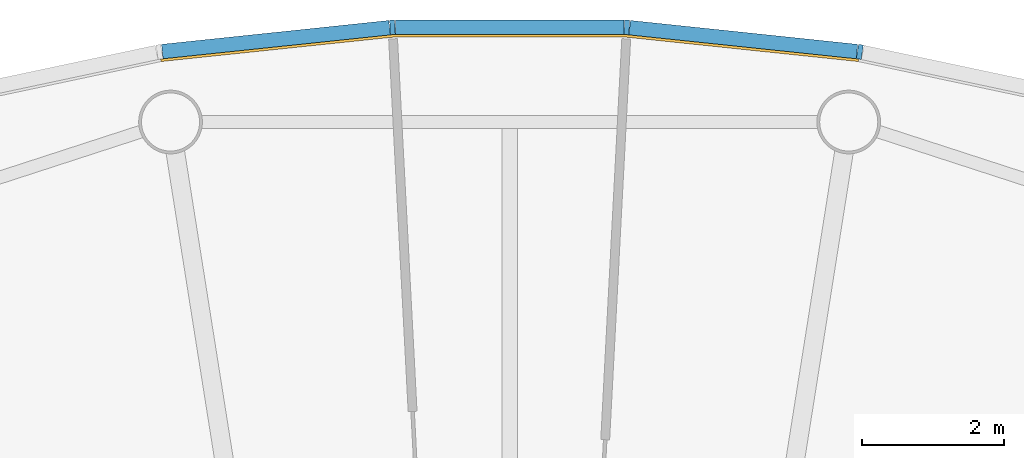
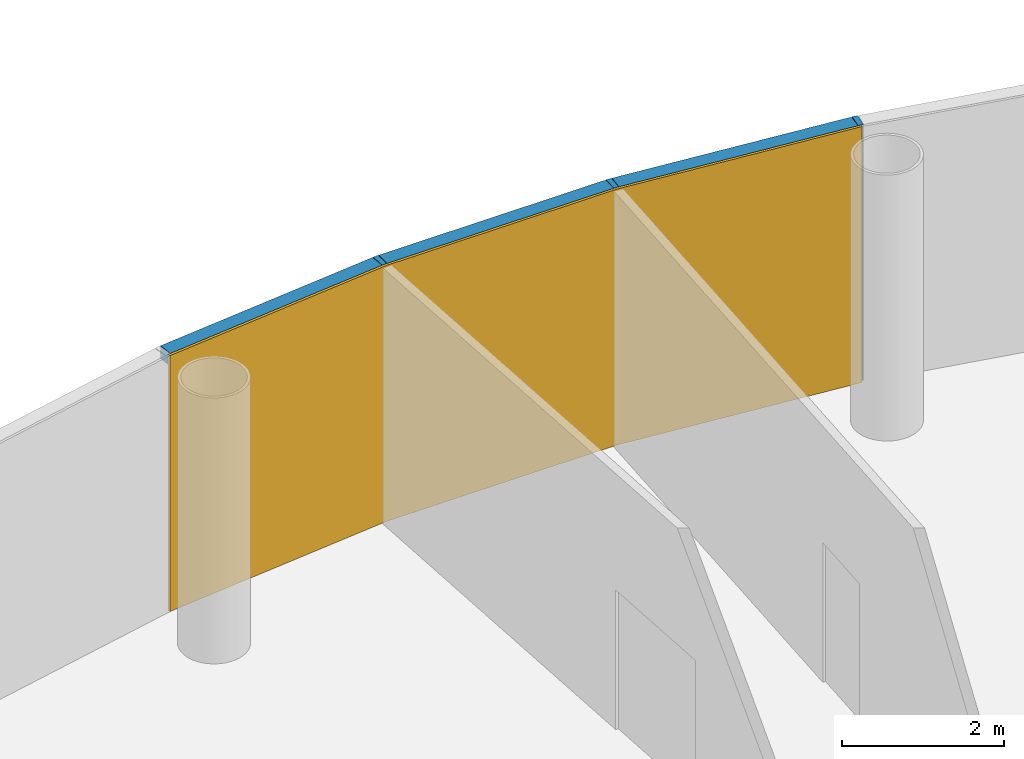
# One storey, part 11 of 13: 6 members, 1 curtain wall.
"""IFC4 building model written with IfcOpenShell, lengths in metres."""

from ifc_helpers import new_model, si_unit, direction, frame, origin, origin_2d, place, context, subcontext, project, spatial, polyline, rectangle, outline, extrude, material, layer, layer_set, material_profile, profile_set, type_object, element, aggregate, save


model = new_model("IFC4")

# Units and contexts
model_context = context("Model", 3, precision=1e-05, world=origin(), true_north=direction((0.0, 1.0)))
body_context = subcontext(model_context, "Body", "Model", "MODEL_VIEW")
ifc_project = project(units=[si_unit("LENGTHUNIT", "METRE"), si_unit("AREAUNIT", "SQUARE_METRE"), si_unit("VOLUMEUNIT", "CUBIC_METRE"), si_unit("PLANEANGLEUNIT", "RADIAN"), si_unit("MASSUNIT", "GRAM", prefix="KILO")], contexts=[model_context])

# Member
ifc_material_1 = material(Name="Anodised aluminium", Category="aluminium")
ifc_material_profile_1 = material_profile(ifc_material_1, rectangle(XDim=0.070068359375, YDim=0.205078125, at=origin_2d()), Name="Mullion 70 x 205 mm anodised aluminium")
ifc_profile_set_1 = profile_set([ifc_material_profile_1], Name="Anodised aluminium")
member_type_1 = type_object("IfcMemberType", Name="Mullion 70 x 205 mm anodised aluminium", PredefinedType="MULLION", material=ifc_profile_set_1)
site_placement = place(None, origin())
building_placement = place(site_placement, origin())
storey_placement = place(building_placement, frame((0.0, 0.0, 380.0)))
member_1_placement = place(storey_placement, frame((94.943603515625, 111.21337890625, 0.0), z_axis=(0.0, 0.0, 1.0), x_axis=(-0.987688340595, 0.15643446504, 0.0)))
member_1 = element("IfcMember", 1, at=member_1_placement, type_object=member_type_1, Name="MULLION L88-12", PredefinedType="MULLION", context=body_context, shape_type="SweptSolid", body=[
    extrude(rectangle(XDim=0.070068359375, YDim=0.205078125, at=origin_2d()), origin(), (0.0, 0.0, 1.0), 3.85009765625),
])

member_2_placement = place(storey_placement, frame((91.654052734375, 111.55908203125, 0.0), z_axis=(0.0, 0.0, 1.0), x_axis=(-0.998629534755, 0.052335956243, 0.0)))
member_2 = element("IfcMember", 2, at=member_2_placement, type_object=member_type_1, Name="MULLION L88-13", PredefinedType="MULLION", context=body_context, shape_type="SweptSolid", body=[
    extrude(rectangle(XDim=0.070068359375, YDim=0.205078125, at=origin_2d()), origin(), (0.0, 0.0, 1.0), 3.85009765625),
])

member_3_placement = place(storey_placement, frame((88.345947265625, 111.55908203125, 0.0), z_axis=(0.0, 0.0, 1.0), x_axis=(-0.998629534755, -0.052335956243, 0.0)))
member_3 = element("IfcMember", 3, at=member_3_placement, type_object=member_type_1, Name="MULLION L88-14", PredefinedType="MULLION", context=body_context, shape_type="SweptSolid", body=[
    extrude(rectangle(XDim=0.070068359375, YDim=0.205078125, at=origin_2d()), origin(), (0.0, 0.0, 1.0), 3.85009765625),
])

ifc_material_2 = material(Name="Anodised aluminium", Category="aluminium")
ifc_material_profile_2 = material_profile(ifc_material_2, rectangle(XDim=0.205078125, YDim=0.195068359375, at=origin_2d()), Name="Transom 195 x 205 mm anodised aluminium")
ifc_profile_set_2 = profile_set([ifc_material_profile_2], Name="Anodised aluminium")
member_type_2 = type_object("IfcMemberType", Name="Transom 195 x 205 mm anodised aluminium", PredefinedType="USERDEFINED", material=ifc_profile_set_2)
member_4_placement = place(storey_placement, frame((94.903564453125, 111.2177734375, 3.75244140625), z_axis=(-0.994519537956, 0.104550890115, 0.0), x_axis=(-0.104550890115, -0.994519537956, 0.0)))
member_4 = element("IfcMember", 4, at=member_4_placement, type_object=member_type_2, Name="TRANSOM L88-12", ObjectType="TRANSOM", PredefinedType="USERDEFINED", context=body_context, shape_type="SweptSolid", body=[
    extrude(rectangle(XDim=0.205078125, YDim=0.195068359375, at=origin_2d()), origin(), (0.0, 0.0, 1.0), 3.22705078125),
])

member_5_placement = place(storey_placement, frame((91.613525390625, 111.559326171875, 3.75244140625), z_axis=(-1.0, 0.0, 0.0), x_axis=(0.0, -1.0, 0.0)))
member_5 = element("IfcMember", 5, at=member_5_placement, type_object=member_type_2, Name="TRANSOM L88-13", ObjectType="TRANSOM", PredefinedType="USERDEFINED", context=body_context, shape_type="SweptSolid", body=[
    extrude(rectangle(XDim=0.205078125, YDim=0.195068359375, at=origin_2d()), origin(), (0.0, 0.0, 1.0), 3.22705078125),
])

member_6_placement = place(storey_placement, frame((88.305908203125, 111.55517578125, 3.75244140625), z_axis=(-0.994519537956, -0.104550890115, 0.0), x_axis=(0.104550890115, -0.994519537956, 0.0)))
member_6 = element("IfcMember", 6, at=member_6_placement, type_object=member_type_2, Name="TRANSOM L88-14", ObjectType="TRANSOM", PredefinedType="USERDEFINED", context=body_context, shape_type="SweptSolid", body=[
    extrude(rectangle(XDim=0.205078125, YDim=0.195068359375, at=origin_2d()), origin(), (0.0, 0.0, 1.0), 3.22705078125),
])

# Site, building, storey
site = spatial("IfcSite", under=ifc_project, at=site_placement, CompositionType="ELEMENT")
building = spatial("IfcBuilding", under=site, at=building_placement, Name="Entoto Ring Tower", CompositionType="ELEMENT")
storey = spatial("IfcBuildingStorey", under=building, at=storey_placement, Name="L88", CompositionType="ELEMENT", Elevation=380.0)

# Curtain wall
ifc_material_3 = material(Name="Clear low-iron glass", Category="glass")
ifc_layer = layer(ifc_material_3, 0.035888671875)
ifc_layer_set = layer_set([ifc_layer], Name="Clear low-iron glass")
curtain_wall_type = type_object("IfcCurtainWallType", Name="Curtain wall system CW6 glazing 36 mm", PredefinedType="NOTDEFINED", material=ifc_layer_set)
curtain_wall_placement = place(storey_placement, origin())
curtain_wall = element("IfcCurtainWall", 7, at=curtain_wall_placement, inside=storey, type_object=curtain_wall_type, Name="CW6 L88-05", PredefinedType="NOTDEFINED", context=body_context, shape_type="SweptSolid", body=[
    extrude(outline(polyline([(94.927734375, 111.1123046875), (91.648681640625, 111.456787109375), (88.351318359375, 111.456787109375), (85.072265625, 111.1123046875), (85.077880859375, 111.07666015625), (88.353271484375, 111.4208984375), (91.646728515625, 111.4208984375), (94.922119140625, 111.07666015625), (94.927734375, 111.1123046875)])), origin(), (0.0, 0.0, 1.0), 3.85009765625),
])

aggregate(curtain_wall, [member_1, member_2, member_3, member_4, member_5, member_6])

save(model, "model.ifc")
